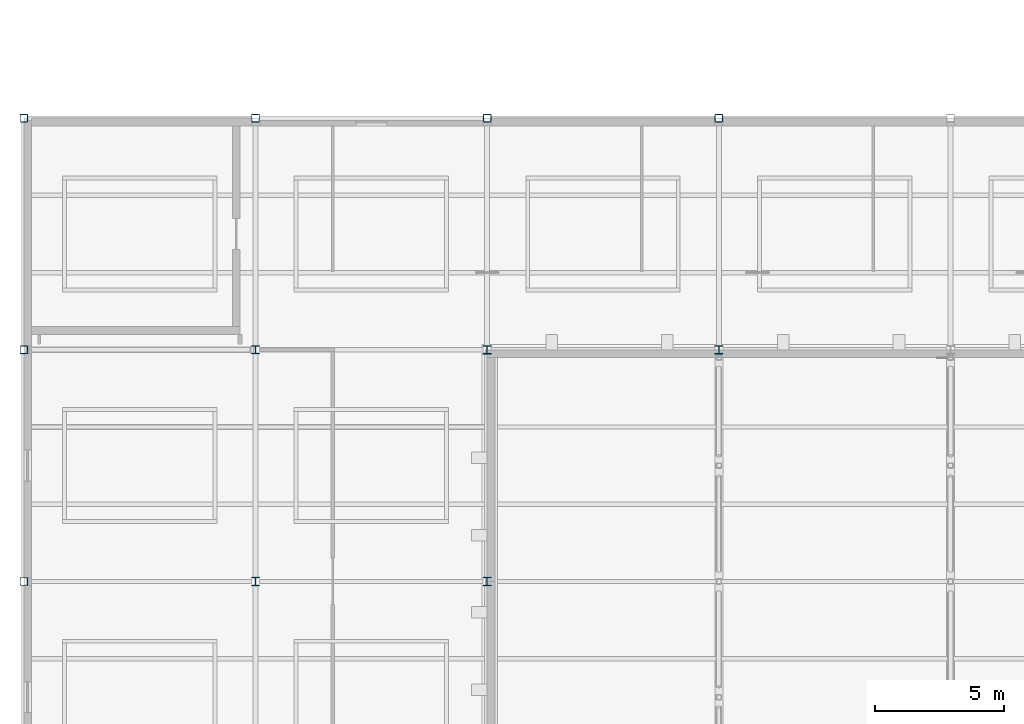
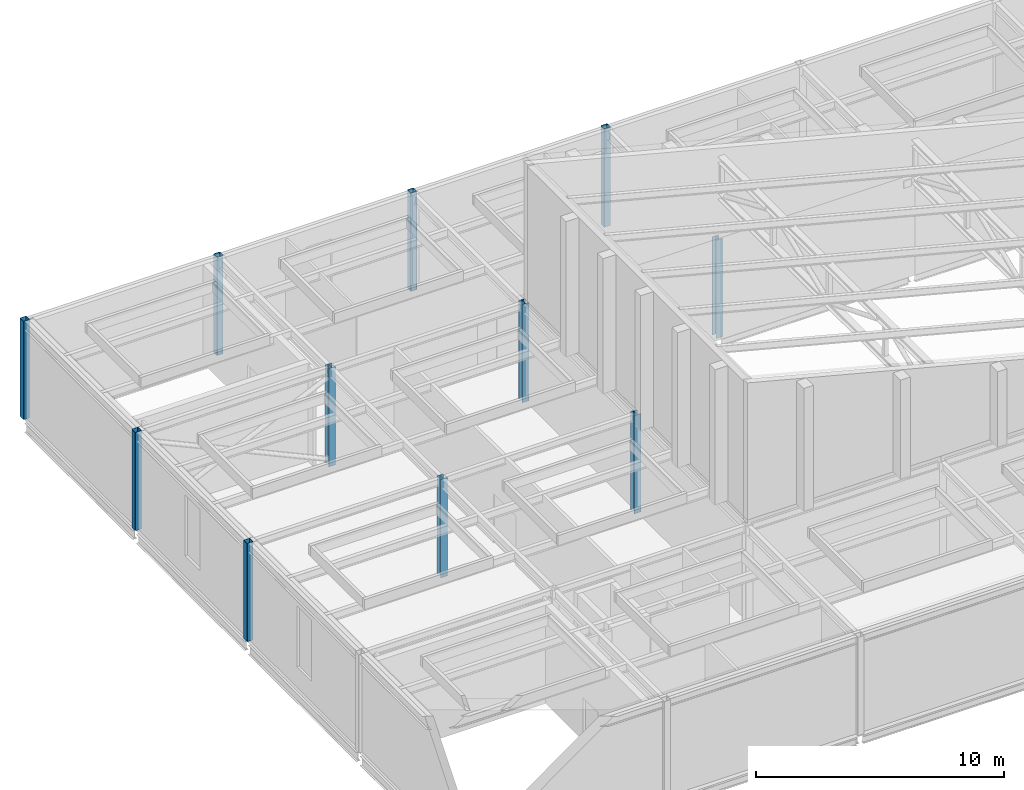
# One storey, part 8 of 115: 11 columns.
"""IFC4 building model written with IfcOpenShell, lengths in metres."""

from ifc_helpers import new_model, si_unit, direction, frame, origin, origin_2d, place, context, subcontext, project, spatial, hollow_rectangle, i_section, extrude, material, material_profile, profile_set, type_object, element, save


model = new_model("IFC4")

# Units and contexts
model_context = context("Model", 3, precision=1e-05, world=origin(), true_north=direction((0.0, 1.0)))
body_context = subcontext(model_context, "Body", "Model", "MODEL_VIEW")
ifc_project = project(units=[si_unit("LENGTHUNIT", "METRE"), si_unit("AREAUNIT", "SQUARE_METRE"), si_unit("VOLUMEUNIT", "CUBIC_METRE"), si_unit("PLANEANGLEUNIT", "RADIAN"), si_unit("MASSUNIT", "GRAM", prefix="KILO")], contexts=[model_context])

# Site, building, storey
site_placement = place(None, origin())
site = spatial("IfcSite", under=ifc_project, at=site_placement, CompositionType="ELEMENT")
building_placement = place(site_placement, origin())
building = spatial("IfcBuilding", under=site, at=building_placement, Name="Shorebreak Coast Museum", CompositionType="ELEMENT")
storey_placement = place(building_placement, frame((0.0, 0.0, 11.0)))
storey = spatial("IfcBuildingStorey", under=building, at=storey_placement, Name="L02", CompositionType="ELEMENT", Elevation=11.0)

# Columns
ifc_material_1 = material(Name="Steel Grade C450L0", Category="steel")
ifc_material_profile_1 = material_profile(ifc_material_1, hollow_rectangle(XDim=0.300048828125, YDim=0.300048828125, WallThickness=0.012451171875, InnerFilletRadius=0.018798828125, OuterFilletRadius=0.03125, at=origin_2d()), Name="300x300x12.5 SHS")
ifc_profile_set_1 = profile_set([ifc_material_profile_1], Name="Steel Grade C450L0")
column_type_1 = type_object("IfcColumnType", Name="Column 300x300x12.5 SHS", PredefinedType="COLUMN", material=ifc_profile_set_1)
for number, where, z_axis, x_axis, name in (
    (1, (0.0, 72.0, 0.0), (0.0, 0.0, 1.0), (1.0, 0.0, 0.0), "Column L02 1J"),
    (2, (0.0, 81.0, 0.0), (0.0, 0.0, 1.0), (1.0, 0.0, 0.0), "Column L02 1K"),
    (3, (0.0, 90.0, 0.0), (0.0, 0.0, 1.0), (1.0, 0.0, 0.0), "Column L02 1L"),
    (4, (9.0, 90.0, 0.0), (0.0, 0.0, 1.0), (1.0, 0.0, 0.0), "Column L02 2L"),
    (5, (18.0, 90.0, 0.0), (0.0, 0.0, 1.0), (1.0, 0.0, 0.0), "Column L02 3L"),
    (6, (27.0, 90.0, 0.0), (0.0, 0.0, 1.0), (1.0, 0.0, 0.0), "Column L02 4L"),
):
    element("IfcColumn", number, at=place(storey_placement, frame(where, z_axis=z_axis, x_axis=x_axis)), inside=storey, type_object=column_type_1, Name=name, PredefinedType="COLUMN", context=body_context, shape_type="SweptSolid", body=[
        extrude(hollow_rectangle(XDim=0.300048828125, YDim=0.300048828125, WallThickness=0.012451171875, InnerFilletRadius=0.018798828125, OuterFilletRadius=0.03125, at=origin_2d()), origin(), (0.0, 0.0, 1.0), 4.824951171875),
    ])
ifc_material_2 = material(Name="Steel Grade 300", Category="steel")
ifc_material_profile_2 = material_profile(ifc_material_2, i_section(OverallWidth=0.306884765625, OverallDepth=0.314697265625, WebThickness=0.011962890625, FlangeThickness=0.018798828125, FilletRadius=0.0166015625, at=origin_2d()), Name="310UC118")
ifc_profile_set_2 = profile_set([ifc_material_profile_2], Name="Steel Grade 300")
column_type_2 = type_object("IfcColumnType", Name="Column 310UC118", PredefinedType="COLUMN", material=ifc_profile_set_2)
for number, where, z_axis, x_axis, name in (
    (7, (9.0, 72.0, 0.0), (0.0, 0.0, 1.0), (1.0, 0.0, 0.0), "Column L02 2J"),
    (8, (9.0, 81.0, 0.0), (0.0, 0.0, 1.0), (1.0, 0.0, 0.0), "Column L02 2K"),
):
    element("IfcColumn", number, at=place(storey_placement, frame(where, z_axis=z_axis, x_axis=x_axis)), inside=storey, type_object=column_type_2, Name=name, PredefinedType="COLUMN", context=body_context, shape_type="SweptSolid", body=[
        extrude(i_section(OverallWidth=0.306884765625, OverallDepth=0.314697265625, WebThickness=0.011962890625, FlangeThickness=0.018798828125, FilletRadius=0.0166015625, at=origin_2d()), origin(), (0.0, 0.0, 1.0), 4.824951171875),
    ])
ifc_material_3 = material(Name="Steel Grade 300", Category="steel")
ifc_material_profile_3 = material_profile(ifc_material_3, i_section(OverallWidth=0.31103515625, OverallDepth=0.3271484375, WebThickness=0.015625, FlangeThickness=0.02490234375, FilletRadius=0.0166015625, at=origin_2d()), Name="310UC158")
ifc_profile_set_3 = profile_set([ifc_material_profile_3], Name="Steel Grade 300")
column_type_3 = type_object("IfcColumnType", Name="Column 310UC158", PredefinedType="COLUMN", material=ifc_profile_set_3)
for number, where, z_axis, x_axis, name in (
    (9, (18.0, 72.0, 0.0), (0.0, 0.0, 1.0), (1.0, 0.0, 0.0), "Column L02 3J"),
    (10, (18.0, 81.0, 0.0), (0.0, 0.0, 1.0), (1.0, 0.0, 0.0), "Column L02 3K"),
    (11, (27.0, 81.0, 0.0), (0.0, 0.0, 1.0), (1.0, 0.0, 0.0), "Column L02 4K"),
):
    element("IfcColumn", number, at=place(storey_placement, frame(where, z_axis=z_axis, x_axis=x_axis)), inside=storey, type_object=column_type_3, Name=name, PredefinedType="COLUMN", context=body_context, shape_type="SweptSolid", body=[
        extrude(i_section(OverallWidth=0.31103515625, OverallDepth=0.3271484375, WebThickness=0.015625, FlangeThickness=0.02490234375, FilletRadius=0.0166015625, at=origin_2d()), origin(), (0.0, 0.0, 1.0), 4.824951171875),
    ])

save(model, "model.ifc")
